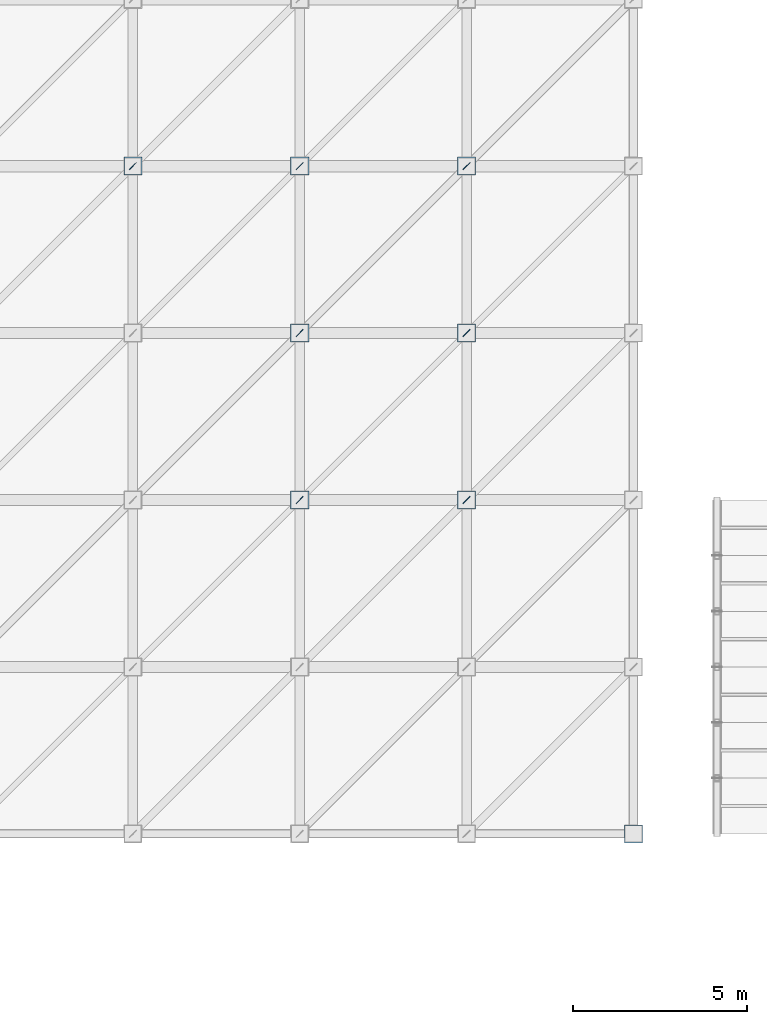
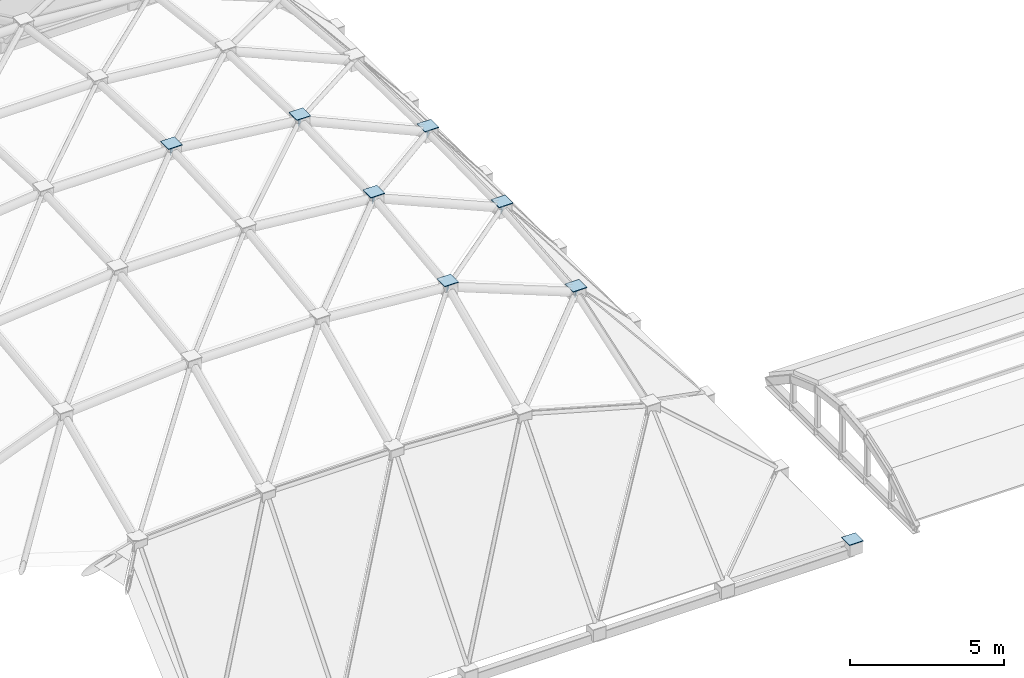
# One storey, part 44 of 70: 15 plates.
"""IFC4 building model written with IfcOpenShell, lengths in metres."""

from ifc_helpers import new_model, si_unit, direction, frame, origin, origin_2d, place, context, subcontext, project, spatial, rectangle, extrude, material, layer, layer_set, type_object, element, save


model = new_model("IFC4")

# Units and contexts
model_context = context("Model", 3, precision=1e-05, world=origin(), true_north=direction((0.0, 1.0)))
body_context = subcontext(model_context, "Body", "Model", "MODEL_VIEW")
ifc_project = project(units=[si_unit("LENGTHUNIT", "METRE"), si_unit("AREAUNIT", "SQUARE_METRE"), si_unit("VOLUMEUNIT", "CUBIC_METRE"), si_unit("PLANEANGLEUNIT", "RADIAN"), si_unit("MASSUNIT", "GRAM", prefix="KILO")], contexts=[model_context])

# Site, building, storey
site_placement = place(None, origin())
site = spatial("IfcSite", under=ifc_project, at=site_placement, CompositionType="ELEMENT")
building_placement = place(site_placement, origin())
building = spatial("IfcBuilding", under=site, at=building_placement, Name="Mavantir Sound Aquarium", CompositionType="ELEMENT")
storey_placement = place(building_placement, frame((0.0, 0.0, 27.0)))
storey = spatial("IfcBuildingStorey", under=building, at=storey_placement, Name="RF", CompositionType="ELEMENT", Elevation=27.0)

# Plates
ifc_material = material(Name="Structural Steel ASTM A572 Gr50", Category="steel")
ifc_layer_1 = layer(ifc_material, 0.01611328125, Name="Structural Steel ASTM A572 Gr50")
ifc_layer_set_1 = layer_set([ifc_layer_1], Name="Structural Steel ASTM A572 Gr50")
plate_type_1 = type_object("IfcPlateType", Name="PLT-GUSSET-16", PredefinedType="SHEET", material=ifc_layer_set_1)
for number, where, z_axis, x_axis, name in (
    (1, (19.199951171875, 60.0, 1.72802734375), (0.0, 0.0, 1.0), (0.707106781187, 0.707106781187, 0.0), "Brace end gusset plate GP-01 39"),
    (2, (24.0, 50.39990234375, 0.43603515625), (0.0, 0.0, 1.0), (0.707106781187, 0.707106781187, 0.0), "Brace end gusset plate GP-01 46"),
    (3, (24.0, 55.199951171875, 1.0341796875), (0.0, 0.0, 1.0), (0.707106781187, 0.707106781187, 0.0), "Brace end gusset plate GP-01 47"),
    (4, (24.0, 60.0, 1.1943359375), (0.0, 0.0, 1.0), (0.707106781187, 0.707106781187, 0.0), "Brace end gusset plate GP-01 48"),
    (5, (28.800048828125, 50.39990234375, -1.45556640625), (0.0, 0.0, 1.0), (0.707106781187, 0.707106781187, 0.0), "Brace end gusset plate GP-01 55"),
    (6, (28.800048828125, 55.199951171875, -1.03173828125), (0.0, 0.0, 1.0), (0.707106781187, 0.707106781187, 0.0), "Brace end gusset plate GP-01 56"),
    (7, (28.800048828125, 60.0, -0.943359375), (0.0, 0.0, 1.0), (0.707106781187, 0.707106781187, 0.0), "Brace end gusset plate GP-01 57"),
):
    element("IfcPlate", number, at=place(storey_placement, frame(where, z_axis=z_axis, x_axis=x_axis)), inside=storey, type_object=plate_type_1, Name=name, PredefinedType="SHEET", context=body_context, shape_type="SweptSolid", body=[
        extrude(rectangle(XDim=0.280029296875, YDim=0.01611328125, at=origin_2d()), origin(), (0.0, 0.0, 1.0), 0.280029296875),
    ])
ifc_layer_2 = layer(ifc_material, 0.02490234375, Name="Structural Steel ASTM A572 Gr50")
ifc_layer_set_2 = layer_set([ifc_layer_2], Name="Structural Steel ASTM A572 Gr50")
plate_type_2 = type_object("IfcPlateType", Name="PLT-NODE-25", PredefinedType="SHEET", material=ifc_layer_set_2)
for number, where, z_axis, x_axis, name in (
    (8, (19.199951171875, 60.0, 2.095458984375), (0.0, 0.0, 1.0), (1.0, 0.0, 0.0), "Gridshell steel node cap plate NP-41"),
    (9, (24.0, 50.39990234375, 0.803466796875), (0.0, 0.0, 1.0), (1.0, 0.0, 0.0), "Gridshell steel node cap plate NP-48"),
    (10, (24.0, 55.199951171875, 1.40185546875), (0.0, 0.0, 1.0), (1.0, 0.0, 0.0), "Gridshell steel node cap plate NP-49"),
    (11, (24.0, 60.0, 1.561767578125), (0.0, 0.0, 1.0), (1.0, 0.0, 0.0), "Gridshell steel node cap plate NP-50"),
    (12, (28.800048828125, 50.39990234375, -1.088134765625), (0.0, 0.0, 1.0), (1.0, 0.0, 0.0), "Gridshell steel node cap plate NP-57"),
    (13, (28.800048828125, 55.199951171875, -0.6640625), (0.0, 0.0, 1.0), (1.0, 0.0, 0.0), "Gridshell steel node cap plate NP-58"),
    (14, (28.800048828125, 60.0, -0.575927734375), (0.0, 0.0, 1.0), (1.0, 0.0, 0.0), "Gridshell steel node cap plate NP-59"),
    (15, (33.60009765625, 40.800048828125, -6.972412109375), (0.0, 0.0, 1.0), (1.0, 0.0, 0.0), "Gridshell steel node cap plate NP-64"),
):
    element("IfcPlate", number, at=place(storey_placement, frame(where, z_axis=z_axis, x_axis=x_axis)), inside=storey, type_object=plate_type_2, Name=name, PredefinedType="SHEET", context=body_context, shape_type="SweptSolid", body=[
        extrude(rectangle(XDim=0.52001953125, YDim=0.52001953125, at=origin_2d()), origin(), (0.0, 0.0, 1.0), 0.02490234375),
    ])

save(model, "model.ifc")
